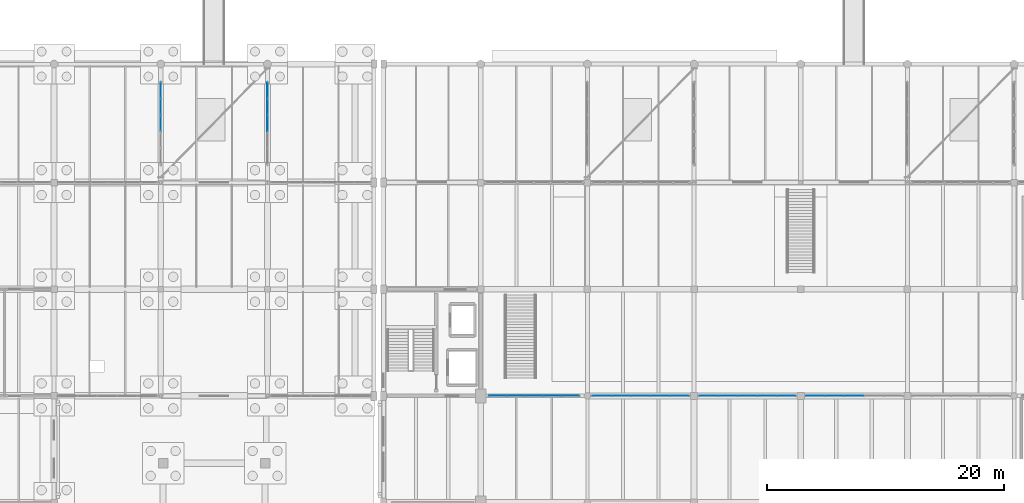
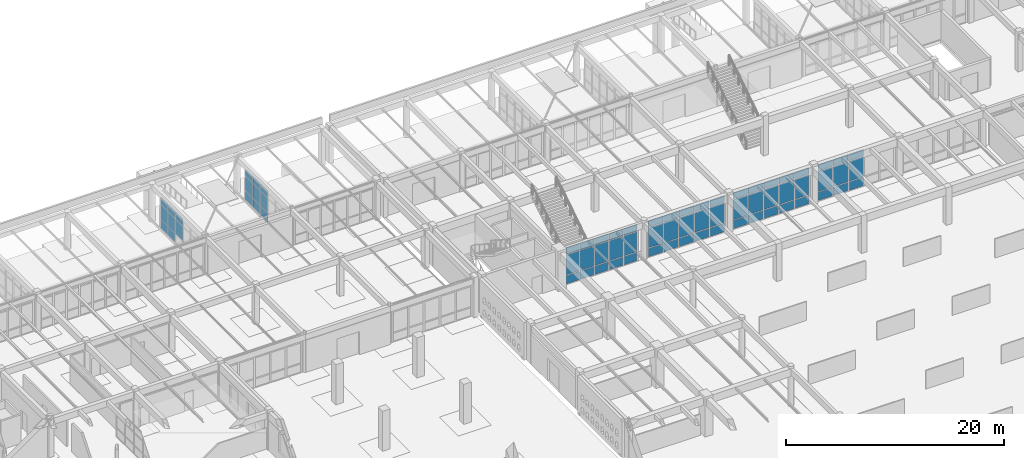
# One storey, part 147 of 186: 71 plates, 6 elements without a shape of their own.
"""IFC4 building model written with IfcOpenShell, lengths in metres."""

from ifc_helpers import new_model, si_unit, direction, frame, origin, origin_2d, place, context, subcontext, project, spatial, rectangle, extrude, material, layer, layer_set, type_object, element, aggregate, save


model = new_model("IFC4")

# Units and contexts
model_context = context("Model", 3, precision=1e-05, world=origin(), true_north=direction((0.0, 1.0)))
body_context = subcontext(model_context, "Body", "Model", "MODEL_VIEW")
ifc_project = project(units=[si_unit("LENGTHUNIT", "METRE"), si_unit("AREAUNIT", "SQUARE_METRE"), si_unit("VOLUMEUNIT", "CUBIC_METRE"), si_unit("PLANEANGLEUNIT", "RADIAN"), si_unit("MASSUNIT", "GRAM", prefix="KILO")], contexts=[model_context])

# Site, building, storey
site_placement = place(None, origin())
site = spatial("IfcSite", under=ifc_project, at=site_placement, CompositionType="ELEMENT")
building_placement = place(site_placement, origin())
building = spatial("IfcBuilding", under=site, at=building_placement, Name="Ornek Quay Market", CompositionType="ELEMENT")
storey_placement = place(building_placement, origin())
storey = spatial("IfcBuildingStorey", under=building, at=storey_placement, Name="L00", CompositionType="ELEMENT", Elevation=0.0)

# Curtain wall, plates
ifc_material_1 = material(Name="Anodised bronze aluminium and triple low-e glass", Category="aluminium")
ifc_layer_1 = layer(ifc_material_1, 0.139892578125, Name="Anodised bronze aluminium and triple low-e glass", Category="aluminium")
ifc_layer_set_1 = layer_set([ifc_layer_1], Name="Anodised bronze aluminium and triple low-e glass")
curtain_wall_type_1 = type_object("IfcCurtainWallType", Name="CW-GALLERY-INT", PredefinedType="USERDEFINED", material=ifc_layer_set_1)
curtain_wall_1_placement = place(storey_placement, origin())
curtain_wall_1 = element("IfcCurtainWall", 1, at=curtain_wall_1_placement, inside=storey, type_object=curtain_wall_type_1, Name="Curtain wall CW-121", ObjectType="CURTAIN WALL", PredefinedType="USERDEFINED")
ifc_material_2 = material(Name="Toughened laminated acoustic glass", Category="glass")
ifc_layer_2 = layer(ifc_material_2, 0.01611328125, Name="Toughened laminated acoustic glass", Category="glass")
ifc_layer_set_2 = layer_set([ifc_layer_2], Name="Toughened laminated acoustic glass")
plate_type_1 = type_object("IfcPlateType", Name="PL-CW-INT-16", PredefinedType="CURTAIN_PANEL", material=ifc_layer_set_2)
plate_1_placement = place(storey_placement, frame((64.436279296875, 92.0, 0.06494140625), z_axis=(0.0, 0.0, 1.0), x_axis=(1.0, 0.0, 0.0)))
plate_1 = element("IfcPlate", 2, at=plate_1_placement, type_object=plate_type_1, Name="CW-121 panel 1.1", PredefinedType="CURTAIN_PANEL", context=body_context, shape_type="SweptSolid", body=[
    extrude(rectangle(XDim=1.4423828125, YDim=0.01611328125, at=origin_2d()), origin(), (0.0, 0.0, 1.0), 0.952392578125),
])
plate_2_placement = place(storey_placement, frame((64.436279296875, 92.0, 1.08251953125), z_axis=(0.0, 0.0, 1.0), x_axis=(1.0, 0.0, 0.0)))
plate_2 = element("IfcPlate", 3, at=plate_2_placement, type_object=plate_type_1, Name="CW-121 panel 1.2", PredefinedType="CURTAIN_PANEL", context=body_context, shape_type="SweptSolid", body=[
    extrude(rectangle(XDim=1.4423828125, YDim=0.01611328125, at=origin_2d()), origin(), (0.0, 0.0, 1.0), 2.235107421875),
])
plate_3_placement = place(storey_placement, frame((64.436279296875, 92.0, 3.382568359375), z_axis=(0.0, 0.0, 1.0), x_axis=(1.0, 0.0, 0.0)))
plate_3 = element("IfcPlate", 4, at=plate_3_placement, type_object=plate_type_1, Name="CW-121 panel 1.3", PredefinedType="CURTAIN_PANEL", context=body_context, shape_type="SweptSolid", body=[
    extrude(rectangle(XDim=1.4423828125, YDim=0.01611328125, at=origin_2d()), origin(), (0.0, 0.0, 1.0), 0.75244140625),
])
plate_4_placement = place(storey_placement, frame((65.9599609375, 92.0, 0.06494140625), z_axis=(0.0, 0.0, 1.0), x_axis=(1.0, 0.0, 0.0)))
plate_4 = element("IfcPlate", 5, at=plate_4_placement, type_object=plate_type_1, Name="CW-121 panel 2.1", PredefinedType="CURTAIN_PANEL", context=body_context, shape_type="SweptSolid", body=[
    extrude(rectangle(XDim=1.47509765625, YDim=0.01611328125, at=origin_2d()), origin(), (0.0, 0.0, 1.0), 0.952392578125),
])
plate_5_placement = place(storey_placement, frame((65.9599609375, 92.0, 1.08251953125), z_axis=(0.0, 0.0, 1.0), x_axis=(1.0, 0.0, 0.0)))
plate_5 = element("IfcPlate", 6, at=plate_5_placement, type_object=plate_type_1, Name="CW-121 panel 2.2", PredefinedType="CURTAIN_PANEL", context=body_context, shape_type="SweptSolid", body=[
    extrude(rectangle(XDim=1.47509765625, YDim=0.01611328125, at=origin_2d()), origin(), (0.0, 0.0, 1.0), 2.235107421875),
])
plate_6_placement = place(storey_placement, frame((65.9599609375, 92.0, 3.382568359375), z_axis=(0.0, 0.0, 1.0), x_axis=(1.0, 0.0, 0.0)))
plate_6 = element("IfcPlate", 7, at=plate_6_placement, type_object=plate_type_1, Name="CW-121 panel 2.3", PredefinedType="CURTAIN_PANEL", context=body_context, shape_type="SweptSolid", body=[
    extrude(rectangle(XDim=1.47509765625, YDim=0.01611328125, at=origin_2d()), origin(), (0.0, 0.0, 1.0), 0.75244140625),
])
plate_7_placement = place(storey_placement, frame((67.5, 92.0, 0.06494140625), z_axis=(0.0, 0.0, 1.0), x_axis=(1.0, 0.0, 0.0)))
plate_7 = element("IfcPlate", 8, at=plate_7_placement, type_object=plate_type_1, Name="CW-121 panel 3.1", PredefinedType="CURTAIN_PANEL", context=body_context, shape_type="SweptSolid", body=[
    extrude(rectangle(XDim=1.47509765625, YDim=0.01611328125, at=origin_2d()), origin(), (0.0, 0.0, 1.0), 0.952392578125),
])
plate_8_placement = place(storey_placement, frame((67.5, 92.0, 1.08251953125), z_axis=(0.0, 0.0, 1.0), x_axis=(1.0, 0.0, 0.0)))
plate_8 = element("IfcPlate", 9, at=plate_8_placement, type_object=plate_type_1, Name="CW-121 panel 3.2", PredefinedType="CURTAIN_PANEL", context=body_context, shape_type="SweptSolid", body=[
    extrude(rectangle(XDim=1.47509765625, YDim=0.01611328125, at=origin_2d()), origin(), (0.0, 0.0, 1.0), 2.235107421875),
])
plate_9_placement = place(storey_placement, frame((67.5, 92.0, 3.382568359375), z_axis=(0.0, 0.0, 1.0), x_axis=(1.0, 0.0, 0.0)))
plate_9 = element("IfcPlate", 10, at=plate_9_placement, type_object=plate_type_1, Name="CW-121 panel 3.3", PredefinedType="CURTAIN_PANEL", context=body_context, shape_type="SweptSolid", body=[
    extrude(rectangle(XDim=1.47509765625, YDim=0.01611328125, at=origin_2d()), origin(), (0.0, 0.0, 1.0), 0.75244140625),
])
plate_10_placement = place(storey_placement, frame((69.0400390625, 92.0, 0.06494140625), z_axis=(0.0, 0.0, 1.0), x_axis=(1.0, 0.0, 0.0)))
plate_10 = element("IfcPlate", 11, at=plate_10_placement, type_object=plate_type_1, Name="CW-121 panel 4.1", PredefinedType="CURTAIN_PANEL", context=body_context, shape_type="SweptSolid", body=[
    extrude(rectangle(XDim=1.47509765625, YDim=0.01611328125, at=origin_2d()), origin(), (0.0, 0.0, 1.0), 0.952392578125),
])
plate_11_placement = place(storey_placement, frame((69.0400390625, 92.0, 1.08251953125), z_axis=(0.0, 0.0, 1.0), x_axis=(1.0, 0.0, 0.0)))
plate_11 = element("IfcPlate", 12, at=plate_11_placement, type_object=plate_type_1, Name="CW-121 panel 4.2", PredefinedType="CURTAIN_PANEL", context=body_context, shape_type="SweptSolid", body=[
    extrude(rectangle(XDim=1.47509765625, YDim=0.01611328125, at=origin_2d()), origin(), (0.0, 0.0, 1.0), 2.235107421875),
])
plate_12_placement = place(storey_placement, frame((69.0400390625, 92.0, 3.382568359375), z_axis=(0.0, 0.0, 1.0), x_axis=(1.0, 0.0, 0.0)))
plate_12 = element("IfcPlate", 13, at=plate_12_placement, type_object=plate_type_1, Name="CW-121 panel 4.3", PredefinedType="CURTAIN_PANEL", context=body_context, shape_type="SweptSolid", body=[
    extrude(rectangle(XDim=1.47509765625, YDim=0.01611328125, at=origin_2d()), origin(), (0.0, 0.0, 1.0), 0.75244140625),
])
plate_13_placement = place(storey_placement, frame((70.563720703125, 92.0, 0.06494140625), z_axis=(0.0, 0.0, 1.0), x_axis=(1.0, 0.0, 0.0)))
plate_13 = element("IfcPlate", 14, at=plate_13_placement, type_object=plate_type_1, Name="CW-121 panel 5.1", PredefinedType="CURTAIN_PANEL", context=body_context, shape_type="SweptSolid", body=[
    extrude(rectangle(XDim=1.4423828125, YDim=0.01611328125, at=origin_2d()), origin(), (0.0, 0.0, 1.0), 0.952392578125),
])
plate_14_placement = place(storey_placement, frame((70.563720703125, 92.0, 1.08251953125), z_axis=(0.0, 0.0, 1.0), x_axis=(1.0, 0.0, 0.0)))
plate_14 = element("IfcPlate", 15, at=plate_14_placement, type_object=plate_type_1, Name="CW-121 panel 5.2", PredefinedType="CURTAIN_PANEL", context=body_context, shape_type="SweptSolid", body=[
    extrude(rectangle(XDim=1.4423828125, YDim=0.01611328125, at=origin_2d()), origin(), (0.0, 0.0, 1.0), 2.235107421875),
])
plate_15_placement = place(storey_placement, frame((70.563720703125, 92.0, 3.382568359375), z_axis=(0.0, 0.0, 1.0), x_axis=(1.0, 0.0, 0.0)))
plate_15 = element("IfcPlate", 16, at=plate_15_placement, type_object=plate_type_1, Name="CW-121 panel 5.3", PredefinedType="CURTAIN_PANEL", context=body_context, shape_type="SweptSolid", body=[
    extrude(rectangle(XDim=1.4423828125, YDim=0.01611328125, at=origin_2d()), origin(), (0.0, 0.0, 1.0), 0.75244140625),
])
aggregate(curtain_wall_1, [plate_1, plate_2, plate_3, plate_4, plate_5, plate_6, plate_7, plate_8, plate_9, plate_10, plate_11, plate_12, plate_13, plate_14, plate_15])

curtain_wall_2_placement = place(storey_placement, origin())
curtain_wall_2 = element("IfcCurtainWall", 17, at=curtain_wall_2_placement, inside=storey, type_object=curtain_wall_type_1, Name="Curtain wall CW-122", ObjectType="CURTAIN WALL", PredefinedType="USERDEFINED")
plate_16_placement = place(storey_placement, frame((73.236328125, 92.0, 0.06494140625), z_axis=(0.0, 0.0, 1.0), x_axis=(1.0, 0.0, 0.0)))
plate_16 = element("IfcPlate", 18, at=plate_16_placement, type_object=plate_type_1, Name="CW-122 panel 1.1", PredefinedType="CURTAIN_PANEL", context=body_context, shape_type="SweptSolid", body=[
    extrude(rectangle(XDim=1.54248046875, YDim=0.01611328125, at=origin_2d()), origin(), (0.0, 0.0, 1.0), 0.952392578125),
])
plate_17_placement = place(storey_placement, frame((73.236328125, 92.0, 1.08251953125), z_axis=(0.0, 0.0, 1.0), x_axis=(1.0, 0.0, 0.0)))
plate_17 = element("IfcPlate", 19, at=plate_17_placement, type_object=plate_type_1, Name="CW-122 panel 1.2", PredefinedType="CURTAIN_PANEL", context=body_context, shape_type="SweptSolid", body=[
    extrude(rectangle(XDim=1.54248046875, YDim=0.01611328125, at=origin_2d()), origin(), (0.0, 0.0, 1.0), 2.235107421875),
])
plate_18_placement = place(storey_placement, frame((73.236328125, 92.0, 3.382568359375), z_axis=(0.0, 0.0, 1.0), x_axis=(1.0, 0.0, 0.0)))
plate_18 = element("IfcPlate", 20, at=plate_18_placement, type_object=plate_type_1, Name="CW-122 panel 1.3", PredefinedType="CURTAIN_PANEL", context=body_context, shape_type="SweptSolid", body=[
    extrude(rectangle(XDim=1.54248046875, YDim=0.01611328125, at=origin_2d()), origin(), (0.0, 0.0, 1.0), 0.75244140625),
])
plate_19_placement = place(storey_placement, frame((74.860107421875, 92.0, 0.06494140625), z_axis=(0.0, 0.0, 1.0), x_axis=(1.0, 0.0, 0.0)))
plate_19 = element("IfcPlate", 21, at=plate_19_placement, type_object=plate_type_1, Name="CW-122 panel 2.1", PredefinedType="CURTAIN_PANEL", context=body_context, shape_type="SweptSolid", body=[
    extrude(rectangle(XDim=1.574951171875, YDim=0.01611328125, at=origin_2d()), origin(), (0.0, 0.0, 1.0), 0.952392578125),
])
plate_20_placement = place(storey_placement, frame((74.860107421875, 92.0, 1.08251953125), z_axis=(0.0, 0.0, 1.0), x_axis=(1.0, 0.0, 0.0)))
plate_20 = element("IfcPlate", 22, at=plate_20_placement, type_object=plate_type_1, Name="CW-122 panel 2.2", PredefinedType="CURTAIN_PANEL", context=body_context, shape_type="SweptSolid", body=[
    extrude(rectangle(XDim=1.574951171875, YDim=0.01611328125, at=origin_2d()), origin(), (0.0, 0.0, 1.0), 2.235107421875),
])
plate_21_placement = place(storey_placement, frame((74.860107421875, 92.0, 3.382568359375), z_axis=(0.0, 0.0, 1.0), x_axis=(1.0, 0.0, 0.0)))
plate_21 = element("IfcPlate", 23, at=plate_21_placement, type_object=plate_type_1, Name="CW-122 panel 2.3", PredefinedType="CURTAIN_PANEL", context=body_context, shape_type="SweptSolid", body=[
    extrude(rectangle(XDim=1.574951171875, YDim=0.01611328125, at=origin_2d()), origin(), (0.0, 0.0, 1.0), 0.75244140625),
])
plate_22_placement = place(storey_placement, frame((76.5, 92.0, 0.06494140625), z_axis=(0.0, 0.0, 1.0), x_axis=(1.0, 0.0, 0.0)))
plate_22 = element("IfcPlate", 24, at=plate_22_placement, type_object=plate_type_1, Name="CW-122 panel 3.1", PredefinedType="CURTAIN_PANEL", context=body_context, shape_type="SweptSolid", body=[
    extrude(rectangle(XDim=1.574951171875, YDim=0.01611328125, at=origin_2d()), origin(), (0.0, 0.0, 1.0), 0.952392578125),
])
plate_23_placement = place(storey_placement, frame((76.5, 92.0, 1.08251953125), z_axis=(0.0, 0.0, 1.0), x_axis=(1.0, 0.0, 0.0)))
plate_23 = element("IfcPlate", 25, at=plate_23_placement, type_object=plate_type_1, Name="CW-122 panel 3.2", PredefinedType="CURTAIN_PANEL", context=body_context, shape_type="SweptSolid", body=[
    extrude(rectangle(XDim=1.574951171875, YDim=0.01611328125, at=origin_2d()), origin(), (0.0, 0.0, 1.0), 2.235107421875),
])
plate_24_placement = place(storey_placement, frame((76.5, 92.0, 3.382568359375), z_axis=(0.0, 0.0, 1.0), x_axis=(1.0, 0.0, 0.0)))
plate_24 = element("IfcPlate", 26, at=plate_24_placement, type_object=plate_type_1, Name="CW-122 panel 3.3", PredefinedType="CURTAIN_PANEL", context=body_context, shape_type="SweptSolid", body=[
    extrude(rectangle(XDim=1.574951171875, YDim=0.01611328125, at=origin_2d()), origin(), (0.0, 0.0, 1.0), 0.75244140625),
])
plate_25_placement = place(storey_placement, frame((78.139892578125, 92.0, 0.06494140625), z_axis=(0.0, 0.0, 1.0), x_axis=(1.0, 0.0, 0.0)))
plate_25 = element("IfcPlate", 27, at=plate_25_placement, type_object=plate_type_1, Name="CW-122 panel 4.1", PredefinedType="CURTAIN_PANEL", context=body_context, shape_type="SweptSolid", body=[
    extrude(rectangle(XDim=1.574951171875, YDim=0.01611328125, at=origin_2d()), origin(), (0.0, 0.0, 1.0), 0.952392578125),
])
plate_26_placement = place(storey_placement, frame((78.139892578125, 92.0, 1.08251953125), z_axis=(0.0, 0.0, 1.0), x_axis=(1.0, 0.0, 0.0)))
plate_26 = element("IfcPlate", 28, at=plate_26_placement, type_object=plate_type_1, Name="CW-122 panel 4.2", PredefinedType="CURTAIN_PANEL", context=body_context, shape_type="SweptSolid", body=[
    extrude(rectangle(XDim=1.574951171875, YDim=0.01611328125, at=origin_2d()), origin(), (0.0, 0.0, 1.0), 2.235107421875),
])
plate_27_placement = place(storey_placement, frame((78.139892578125, 92.0, 3.382568359375), z_axis=(0.0, 0.0, 1.0), x_axis=(1.0, 0.0, 0.0)))
plate_27 = element("IfcPlate", 29, at=plate_27_placement, type_object=plate_type_1, Name="CW-122 panel 4.3", PredefinedType="CURTAIN_PANEL", context=body_context, shape_type="SweptSolid", body=[
    extrude(rectangle(XDim=1.574951171875, YDim=0.01611328125, at=origin_2d()), origin(), (0.0, 0.0, 1.0), 0.75244140625),
])
plate_28_placement = place(storey_placement, frame((79.763671875, 92.0, 0.06494140625), z_axis=(0.0, 0.0, 1.0), x_axis=(1.0, 0.0, 0.0)))
plate_28 = element("IfcPlate", 30, at=plate_28_placement, type_object=plate_type_1, Name="CW-122 panel 5.1", PredefinedType="CURTAIN_PANEL", context=body_context, shape_type="SweptSolid", body=[
    extrude(rectangle(XDim=1.54248046875, YDim=0.01611328125, at=origin_2d()), origin(), (0.0, 0.0, 1.0), 0.952392578125),
])
plate_29_placement = place(storey_placement, frame((79.763671875, 92.0, 1.08251953125), z_axis=(0.0, 0.0, 1.0), x_axis=(1.0, 0.0, 0.0)))
plate_29 = element("IfcPlate", 31, at=plate_29_placement, type_object=plate_type_1, Name="CW-122 panel 5.2", PredefinedType="CURTAIN_PANEL", context=body_context, shape_type="SweptSolid", body=[
    extrude(rectangle(XDim=1.54248046875, YDim=0.01611328125, at=origin_2d()), origin(), (0.0, 0.0, 1.0), 2.235107421875),
])
plate_30_placement = place(storey_placement, frame((79.763671875, 92.0, 3.382568359375), z_axis=(0.0, 0.0, 1.0), x_axis=(1.0, 0.0, 0.0)))
plate_30 = element("IfcPlate", 32, at=plate_30_placement, type_object=plate_type_1, Name="CW-122 panel 5.3", PredefinedType="CURTAIN_PANEL", context=body_context, shape_type="SweptSolid", body=[
    extrude(rectangle(XDim=1.54248046875, YDim=0.01611328125, at=origin_2d()), origin(), (0.0, 0.0, 1.0), 0.75244140625),
])
aggregate(curtain_wall_2, [plate_16, plate_17, plate_18, plate_19, plate_20, plate_21, plate_22, plate_23, plate_24, plate_25, plate_26, plate_27, plate_28, plate_29, plate_30])

curtain_wall_3_placement = place(storey_placement, origin())
curtain_wall_3 = element("IfcCurtainWall", 33, at=curtain_wall_3_placement, inside=storey, type_object=curtain_wall_type_1, Name="Curtain wall CW-123", ObjectType="CURTAIN WALL", PredefinedType="USERDEFINED")
plate_31_placement = place(storey_placement, frame((82.236328125, 92.0, 0.06494140625), z_axis=(0.0, 0.0, 1.0), x_axis=(1.0, 0.0, 0.0)))
plate_31 = element("IfcPlate", 34, at=plate_31_placement, type_object=plate_type_1, Name="CW-123 panel 1.1", PredefinedType="CURTAIN_PANEL", context=body_context, shape_type="SweptSolid", body=[
    extrude(rectangle(XDim=1.54248046875, YDim=0.01611328125, at=origin_2d()), origin(), (0.0, 0.0, 1.0), 0.952392578125),
])
plate_32_placement = place(storey_placement, frame((82.236328125, 92.0, 1.08251953125), z_axis=(0.0, 0.0, 1.0), x_axis=(1.0, 0.0, 0.0)))
plate_32 = element("IfcPlate", 35, at=plate_32_placement, type_object=plate_type_1, Name="CW-123 panel 1.2", PredefinedType="CURTAIN_PANEL", context=body_context, shape_type="SweptSolid", body=[
    extrude(rectangle(XDim=1.54248046875, YDim=0.01611328125, at=origin_2d()), origin(), (0.0, 0.0, 1.0), 2.235107421875),
])
plate_33_placement = place(storey_placement, frame((82.236328125, 92.0, 3.382568359375), z_axis=(0.0, 0.0, 1.0), x_axis=(1.0, 0.0, 0.0)))
plate_33 = element("IfcPlate", 36, at=plate_33_placement, type_object=plate_type_1, Name="CW-123 panel 1.3", PredefinedType="CURTAIN_PANEL", context=body_context, shape_type="SweptSolid", body=[
    extrude(rectangle(XDim=1.54248046875, YDim=0.01611328125, at=origin_2d()), origin(), (0.0, 0.0, 1.0), 0.75244140625),
])
plate_34_placement = place(storey_placement, frame((83.860107421875, 92.0, 0.06494140625), z_axis=(0.0, 0.0, 1.0), x_axis=(1.0, 0.0, 0.0)))
plate_34 = element("IfcPlate", 37, at=plate_34_placement, type_object=plate_type_1, Name="CW-123 panel 2.1", PredefinedType="CURTAIN_PANEL", context=body_context, shape_type="SweptSolid", body=[
    extrude(rectangle(XDim=1.574951171875, YDim=0.01611328125, at=origin_2d()), origin(), (0.0, 0.0, 1.0), 0.952392578125),
])
plate_35_placement = place(storey_placement, frame((83.860107421875, 92.0, 1.08251953125), z_axis=(0.0, 0.0, 1.0), x_axis=(1.0, 0.0, 0.0)))
plate_35 = element("IfcPlate", 38, at=plate_35_placement, type_object=plate_type_1, Name="CW-123 panel 2.2", PredefinedType="CURTAIN_PANEL", context=body_context, shape_type="SweptSolid", body=[
    extrude(rectangle(XDim=1.574951171875, YDim=0.01611328125, at=origin_2d()), origin(), (0.0, 0.0, 1.0), 2.235107421875),
])
plate_36_placement = place(storey_placement, frame((83.860107421875, 92.0, 3.382568359375), z_axis=(0.0, 0.0, 1.0), x_axis=(1.0, 0.0, 0.0)))
plate_36 = element("IfcPlate", 39, at=plate_36_placement, type_object=plate_type_1, Name="CW-123 panel 2.3", PredefinedType="CURTAIN_PANEL", context=body_context, shape_type="SweptSolid", body=[
    extrude(rectangle(XDim=1.574951171875, YDim=0.01611328125, at=origin_2d()), origin(), (0.0, 0.0, 1.0), 0.75244140625),
])
plate_37_placement = place(storey_placement, frame((85.5, 92.0, 0.06494140625), z_axis=(0.0, 0.0, 1.0), x_axis=(1.0, 0.0, 0.0)))
plate_37 = element("IfcPlate", 40, at=plate_37_placement, type_object=plate_type_1, Name="CW-123 panel 3.1", PredefinedType="CURTAIN_PANEL", context=body_context, shape_type="SweptSolid", body=[
    extrude(rectangle(XDim=1.574951171875, YDim=0.01611328125, at=origin_2d()), origin(), (0.0, 0.0, 1.0), 0.952392578125),
])
plate_38_placement = place(storey_placement, frame((85.5, 92.0, 1.08251953125), z_axis=(0.0, 0.0, 1.0), x_axis=(1.0, 0.0, 0.0)))
plate_38 = element("IfcPlate", 41, at=plate_38_placement, type_object=plate_type_1, Name="CW-123 panel 3.2", PredefinedType="CURTAIN_PANEL", context=body_context, shape_type="SweptSolid", body=[
    extrude(rectangle(XDim=1.574951171875, YDim=0.01611328125, at=origin_2d()), origin(), (0.0, 0.0, 1.0), 2.235107421875),
])
plate_39_placement = place(storey_placement, frame((85.5, 92.0, 3.382568359375), z_axis=(0.0, 0.0, 1.0), x_axis=(1.0, 0.0, 0.0)))
plate_39 = element("IfcPlate", 42, at=plate_39_placement, type_object=plate_type_1, Name="CW-123 panel 3.3", PredefinedType="CURTAIN_PANEL", context=body_context, shape_type="SweptSolid", body=[
    extrude(rectangle(XDim=1.574951171875, YDim=0.01611328125, at=origin_2d()), origin(), (0.0, 0.0, 1.0), 0.75244140625),
])
plate_40_placement = place(storey_placement, frame((87.139892578125, 92.0, 0.06494140625), z_axis=(0.0, 0.0, 1.0), x_axis=(1.0, 0.0, 0.0)))
plate_40 = element("IfcPlate", 43, at=plate_40_placement, type_object=plate_type_1, Name="CW-123 panel 4.1", PredefinedType="CURTAIN_PANEL", context=body_context, shape_type="SweptSolid", body=[
    extrude(rectangle(XDim=1.574951171875, YDim=0.01611328125, at=origin_2d()), origin(), (0.0, 0.0, 1.0), 0.952392578125),
])
plate_41_placement = place(storey_placement, frame((87.139892578125, 92.0, 1.08251953125), z_axis=(0.0, 0.0, 1.0), x_axis=(1.0, 0.0, 0.0)))
plate_41 = element("IfcPlate", 44, at=plate_41_placement, type_object=plate_type_1, Name="CW-123 panel 4.2", PredefinedType="CURTAIN_PANEL", context=body_context, shape_type="SweptSolid", body=[
    extrude(rectangle(XDim=1.574951171875, YDim=0.01611328125, at=origin_2d()), origin(), (0.0, 0.0, 1.0), 2.235107421875),
])
plate_42_placement = place(storey_placement, frame((87.139892578125, 92.0, 3.382568359375), z_axis=(0.0, 0.0, 1.0), x_axis=(1.0, 0.0, 0.0)))
plate_42 = element("IfcPlate", 45, at=plate_42_placement, type_object=plate_type_1, Name="CW-123 panel 4.3", PredefinedType="CURTAIN_PANEL", context=body_context, shape_type="SweptSolid", body=[
    extrude(rectangle(XDim=1.574951171875, YDim=0.01611328125, at=origin_2d()), origin(), (0.0, 0.0, 1.0), 0.75244140625),
])
plate_43_placement = place(storey_placement, frame((88.763671875, 92.0, 0.06494140625), z_axis=(0.0, 0.0, 1.0), x_axis=(1.0, 0.0, 0.0)))
plate_43 = element("IfcPlate", 46, at=plate_43_placement, type_object=plate_type_1, Name="CW-123 panel 5.1", PredefinedType="CURTAIN_PANEL", context=body_context, shape_type="SweptSolid", body=[
    extrude(rectangle(XDim=1.54248046875, YDim=0.01611328125, at=origin_2d()), origin(), (0.0, 0.0, 1.0), 0.952392578125),
])
plate_44_placement = place(storey_placement, frame((88.763671875, 92.0, 1.08251953125), z_axis=(0.0, 0.0, 1.0), x_axis=(1.0, 0.0, 0.0)))
plate_44 = element("IfcPlate", 47, at=plate_44_placement, type_object=plate_type_1, Name="CW-123 panel 5.2", PredefinedType="CURTAIN_PANEL", context=body_context, shape_type="SweptSolid", body=[
    extrude(rectangle(XDim=1.54248046875, YDim=0.01611328125, at=origin_2d()), origin(), (0.0, 0.0, 1.0), 2.235107421875),
])
plate_45_placement = place(storey_placement, frame((88.763671875, 92.0, 3.382568359375), z_axis=(0.0, 0.0, 1.0), x_axis=(1.0, 0.0, 0.0)))
plate_45 = element("IfcPlate", 48, at=plate_45_placement, type_object=plate_type_1, Name="CW-123 panel 5.3", PredefinedType="CURTAIN_PANEL", context=body_context, shape_type="SweptSolid", body=[
    extrude(rectangle(XDim=1.54248046875, YDim=0.01611328125, at=origin_2d()), origin(), (0.0, 0.0, 1.0), 0.75244140625),
])
aggregate(curtain_wall_3, [plate_31, plate_32, plate_33, plate_34, plate_35, plate_36, plate_37, plate_38, plate_39, plate_40, plate_41, plate_42, plate_43, plate_44, plate_45])

curtain_wall_4_placement = place(storey_placement, origin())
curtain_wall_4 = element("IfcCurtainWall", 49, at=curtain_wall_4_placement, inside=storey, type_object=curtain_wall_type_1, Name="Curtain wall CW-124", ObjectType="CURTAIN WALL", PredefinedType="USERDEFINED")
plate_46_placement = place(storey_placement, frame((91.236328125, 92.0, 0.06494140625), z_axis=(0.0, 0.0, 1.0), x_axis=(1.0, 0.0, 0.0)))
plate_46 = element("IfcPlate", 50, at=plate_46_placement, type_object=plate_type_1, Name="CW-124 panel 1.1", PredefinedType="CURTAIN_PANEL", context=body_context, shape_type="SweptSolid", body=[
    extrude(rectangle(XDim=1.54248046875, YDim=0.01611328125, at=origin_2d()), origin(), (0.0, 0.0, 1.0), 0.952392578125),
])
plate_47_placement = place(storey_placement, frame((91.236328125, 92.0, 1.08251953125), z_axis=(0.0, 0.0, 1.0), x_axis=(1.0, 0.0, 0.0)))
plate_47 = element("IfcPlate", 51, at=plate_47_placement, type_object=plate_type_1, Name="CW-124 panel 1.2", PredefinedType="CURTAIN_PANEL", context=body_context, shape_type="SweptSolid", body=[
    extrude(rectangle(XDim=1.54248046875, YDim=0.01611328125, at=origin_2d()), origin(), (0.0, 0.0, 1.0), 2.235107421875),
])
plate_48_placement = place(storey_placement, frame((91.236328125, 92.0, 3.382568359375), z_axis=(0.0, 0.0, 1.0), x_axis=(1.0, 0.0, 0.0)))
plate_48 = element("IfcPlate", 52, at=plate_48_placement, type_object=plate_type_1, Name="CW-124 panel 1.3", PredefinedType="CURTAIN_PANEL", context=body_context, shape_type="SweptSolid", body=[
    extrude(rectangle(XDim=1.54248046875, YDim=0.01611328125, at=origin_2d()), origin(), (0.0, 0.0, 1.0), 0.75244140625),
])
plate_49_placement = place(storey_placement, frame((92.860107421875, 92.0, 0.06494140625), z_axis=(0.0, 0.0, 1.0), x_axis=(1.0, 0.0, 0.0)))
plate_49 = element("IfcPlate", 53, at=plate_49_placement, type_object=plate_type_1, Name="CW-124 panel 2.1", PredefinedType="CURTAIN_PANEL", context=body_context, shape_type="SweptSolid", body=[
    extrude(rectangle(XDim=1.574951171875, YDim=0.01611328125, at=origin_2d()), origin(), (0.0, 0.0, 1.0), 0.952392578125),
])
plate_50_placement = place(storey_placement, frame((92.860107421875, 92.0, 1.08251953125), z_axis=(0.0, 0.0, 1.0), x_axis=(1.0, 0.0, 0.0)))
plate_50 = element("IfcPlate", 54, at=plate_50_placement, type_object=plate_type_1, Name="CW-124 panel 2.2", PredefinedType="CURTAIN_PANEL", context=body_context, shape_type="SweptSolid", body=[
    extrude(rectangle(XDim=1.574951171875, YDim=0.01611328125, at=origin_2d()), origin(), (0.0, 0.0, 1.0), 2.235107421875),
])
plate_51_placement = place(storey_placement, frame((92.860107421875, 92.0, 3.382568359375), z_axis=(0.0, 0.0, 1.0), x_axis=(1.0, 0.0, 0.0)))
plate_51 = element("IfcPlate", 55, at=plate_51_placement, type_object=plate_type_1, Name="CW-124 panel 2.3", PredefinedType="CURTAIN_PANEL", context=body_context, shape_type="SweptSolid", body=[
    extrude(rectangle(XDim=1.574951171875, YDim=0.01611328125, at=origin_2d()), origin(), (0.0, 0.0, 1.0), 0.75244140625),
])
plate_52_placement = place(storey_placement, frame((94.5, 92.0, 0.06494140625), z_axis=(0.0, 0.0, 1.0), x_axis=(1.0, 0.0, 0.0)))
plate_52 = element("IfcPlate", 56, at=plate_52_placement, type_object=plate_type_1, Name="CW-124 panel 3.1", PredefinedType="CURTAIN_PANEL", context=body_context, shape_type="SweptSolid", body=[
    extrude(rectangle(XDim=1.574951171875, YDim=0.01611328125, at=origin_2d()), origin(), (0.0, 0.0, 1.0), 0.952392578125),
])
plate_53_placement = place(storey_placement, frame((94.5, 92.0, 1.08251953125), z_axis=(0.0, 0.0, 1.0), x_axis=(1.0, 0.0, 0.0)))
plate_53 = element("IfcPlate", 57, at=plate_53_placement, type_object=plate_type_1, Name="CW-124 panel 3.2", PredefinedType="CURTAIN_PANEL", context=body_context, shape_type="SweptSolid", body=[
    extrude(rectangle(XDim=1.574951171875, YDim=0.01611328125, at=origin_2d()), origin(), (0.0, 0.0, 1.0), 2.235107421875),
])
plate_54_placement = place(storey_placement, frame((94.5, 92.0, 3.382568359375), z_axis=(0.0, 0.0, 1.0), x_axis=(1.0, 0.0, 0.0)))
plate_54 = element("IfcPlate", 58, at=plate_54_placement, type_object=plate_type_1, Name="CW-124 panel 3.3", PredefinedType="CURTAIN_PANEL", context=body_context, shape_type="SweptSolid", body=[
    extrude(rectangle(XDim=1.574951171875, YDim=0.01611328125, at=origin_2d()), origin(), (0.0, 0.0, 1.0), 0.75244140625),
])
aggregate(curtain_wall_4, [plate_46, plate_47, plate_48, plate_49, plate_50, plate_51, plate_52, plate_53, plate_54])

ifc_layer_3 = layer(ifc_material_1, 0.219970703125, Name="Anodised bronze aluminium and triple low-e glass", Category="aluminium")
ifc_layer_set_3 = layer_set([ifc_layer_3], Name="Anodised bronze aluminium and triple low-e glass")
curtain_wall_type_2 = type_object("IfcCurtainWallType", Name="CW-PORCH-MOD1500", PredefinedType="USERDEFINED", material=ifc_layer_set_3)
curtain_wall_5_placement = place(storey_placement, origin())
curtain_wall_5 = element("IfcCurtainWall", 59, at=curtain_wall_5_placement, inside=storey, type_object=curtain_wall_type_2, Name="Curtain wall CW-149", ObjectType="CURTAIN WALL", PredefinedType="USERDEFINED")
ifc_material_3 = material(Name="Triple insulated low-e glass", Category="glass")
ifc_layer_4 = layer(ifc_material_3, 0.035888671875, Name="Triple insulated low-e glass", Category="glass")
ifc_layer_set_4 = layer_set([ifc_layer_4], Name="Triple insulated low-e glass")
plate_type_2 = type_object("IfcPlateType", Name="PL-CW-TRIPLE-36", PredefinedType="CURTAIN_PANEL", material=ifc_layer_set_4)
plate_55_placement = place(storey_placement, frame((36.0, 115.0, 1.0849609375), z_axis=(0.0, 0.0, 1.0), x_axis=(0.0, 1.0, 0.0)))
plate_55 = element("IfcPlate", 60, at=plate_55_placement, type_object=plate_type_2, Name="CW-149 panel 3.2", PredefinedType="CURTAIN_PANEL", context=body_context, shape_type="SweptSolid", body=[
    extrude(rectangle(XDim=1.330078125, YDim=0.035888671875, at=origin_2d()), origin(), (0.0, 0.0, 1.0), 1.6298828125),
])
plate_56_placement = place(storey_placement, frame((36.0, 115.0, 2.784912109375), z_axis=(0.0, 0.0, 1.0), x_axis=(0.0, 1.0, 0.0)))
plate_56 = element("IfcPlate", 61, at=plate_56_placement, type_object=plate_type_2, Name="CW-149 panel 3.3", PredefinedType="CURTAIN_PANEL", context=body_context, shape_type="SweptSolid", body=[
    extrude(rectangle(XDim=1.330078125, YDim=0.035888671875, at=origin_2d()), origin(), (0.0, 0.0, 1.0), 0.7451171875),
])
plate_57_placement = place(storey_placement, frame((36.0, 116.39990234375, 0.06982421875), z_axis=(0.0, 0.0, 1.0), x_axis=(0.0, 1.0, 0.0)))
plate_57 = element("IfcPlate", 62, at=plate_57_placement, type_object=plate_type_2, Name="CW-149 panel 4.1", PredefinedType="CURTAIN_PANEL", context=body_context, shape_type="SweptSolid", body=[
    extrude(rectangle(XDim=1.330078125, YDim=0.035888671875, at=origin_2d()), origin(), (0.0, 0.0, 1.0), 0.945068359375),
])
plate_58_placement = place(storey_placement, frame((36.0, 116.39990234375, 1.0849609375), z_axis=(0.0, 0.0, 1.0), x_axis=(0.0, 1.0, 0.0)))
plate_58 = element("IfcPlate", 63, at=plate_58_placement, type_object=plate_type_2, Name="CW-149 panel 4.2", PredefinedType="CURTAIN_PANEL", context=body_context, shape_type="SweptSolid", body=[
    extrude(rectangle(XDim=1.330078125, YDim=0.035888671875, at=origin_2d()), origin(), (0.0, 0.0, 1.0), 1.6298828125),
])
plate_59_placement = place(storey_placement, frame((36.0, 116.39990234375, 2.784912109375), z_axis=(0.0, 0.0, 1.0), x_axis=(0.0, 1.0, 0.0)))
plate_59 = element("IfcPlate", 64, at=plate_59_placement, type_object=plate_type_2, Name="CW-149 panel 4.3", PredefinedType="CURTAIN_PANEL", context=body_context, shape_type="SweptSolid", body=[
    extrude(rectangle(XDim=1.330078125, YDim=0.035888671875, at=origin_2d()), origin(), (0.0, 0.0, 1.0), 0.7451171875),
])
plate_60_placement = place(storey_placement, frame((36.0, 117.782470703125, 0.06982421875), z_axis=(0.0, 0.0, 1.0), x_axis=(0.0, 1.0, 0.0)))
plate_60 = element("IfcPlate", 65, at=plate_60_placement, type_object=plate_type_2, Name="CW-149 panel 5.1", PredefinedType="CURTAIN_PANEL", context=body_context, shape_type="SweptSolid", body=[
    extrude(rectangle(XDim=1.294921875, YDim=0.035888671875, at=origin_2d()), origin(), (0.0, 0.0, 1.0), 0.945068359375),
])
plate_61_placement = place(storey_placement, frame((36.0, 117.782470703125, 1.0849609375), z_axis=(0.0, 0.0, 1.0), x_axis=(0.0, 1.0, 0.0)))
plate_61 = element("IfcPlate", 66, at=plate_61_placement, type_object=plate_type_2, Name="CW-149 panel 5.2", PredefinedType="CURTAIN_PANEL", context=body_context, shape_type="SweptSolid", body=[
    extrude(rectangle(XDim=1.294921875, YDim=0.035888671875, at=origin_2d()), origin(), (0.0, 0.0, 1.0), 1.6298828125),
])
plate_62_placement = place(storey_placement, frame((36.0, 117.782470703125, 2.784912109375), z_axis=(0.0, 0.0, 1.0), x_axis=(0.0, 1.0, 0.0)))
plate_62 = element("IfcPlate", 67, at=plate_62_placement, type_object=plate_type_2, Name="CW-149 panel 5.3", PredefinedType="CURTAIN_PANEL", context=body_context, shape_type="SweptSolid", body=[
    extrude(rectangle(XDim=1.294921875, YDim=0.035888671875, at=origin_2d()), origin(), (0.0, 0.0, 1.0), 0.7451171875),
])
aggregate(curtain_wall_5, [plate_55, plate_56, plate_57, plate_58, plate_59, plate_60, plate_61, plate_62])

curtain_wall_6_placement = place(storey_placement, origin())
curtain_wall_6 = element("IfcCurtainWall", 68, at=curtain_wall_6_placement, inside=storey, type_object=curtain_wall_type_2, Name="Curtain wall CW-150", ObjectType="CURTAIN WALL", PredefinedType="USERDEFINED")
plate_63_placement = place(storey_placement, frame((45.0, 115.0, 0.06982421875), z_axis=(0.0, 0.0, 1.0), x_axis=(0.0, 1.0, 0.0)))
plate_63 = element("IfcPlate", 69, at=plate_63_placement, type_object=plate_type_2, Name="CW-150 panel 3.1", PredefinedType="CURTAIN_PANEL", context=body_context, shape_type="SweptSolid", body=[
    extrude(rectangle(XDim=1.330078125, YDim=0.035888671875, at=origin_2d()), origin(), (0.0, 0.0, 1.0), 0.945068359375),
])
plate_64_placement = place(storey_placement, frame((45.0, 115.0, 1.0849609375), z_axis=(0.0, 0.0, 1.0), x_axis=(0.0, 1.0, 0.0)))
plate_64 = element("IfcPlate", 70, at=plate_64_placement, type_object=plate_type_2, Name="CW-150 panel 3.2", PredefinedType="CURTAIN_PANEL", context=body_context, shape_type="SweptSolid", body=[
    extrude(rectangle(XDim=1.330078125, YDim=0.035888671875, at=origin_2d()), origin(), (0.0, 0.0, 1.0), 1.6298828125),
])
plate_65_placement = place(storey_placement, frame((45.0, 115.0, 2.784912109375), z_axis=(0.0, 0.0, 1.0), x_axis=(0.0, 1.0, 0.0)))
plate_65 = element("IfcPlate", 71, at=plate_65_placement, type_object=plate_type_2, Name="CW-150 panel 3.3", PredefinedType="CURTAIN_PANEL", context=body_context, shape_type="SweptSolid", body=[
    extrude(rectangle(XDim=1.330078125, YDim=0.035888671875, at=origin_2d()), origin(), (0.0, 0.0, 1.0), 0.7451171875),
])
plate_66_placement = place(storey_placement, frame((45.0, 116.39990234375, 0.06982421875), z_axis=(0.0, 0.0, 1.0), x_axis=(0.0, 1.0, 0.0)))
plate_66 = element("IfcPlate", 72, at=plate_66_placement, type_object=plate_type_2, Name="CW-150 panel 4.1", PredefinedType="CURTAIN_PANEL", context=body_context, shape_type="SweptSolid", body=[
    extrude(rectangle(XDim=1.330078125, YDim=0.035888671875, at=origin_2d()), origin(), (0.0, 0.0, 1.0), 0.945068359375),
])
plate_67_placement = place(storey_placement, frame((45.0, 116.39990234375, 1.0849609375), z_axis=(0.0, 0.0, 1.0), x_axis=(0.0, 1.0, 0.0)))
plate_67 = element("IfcPlate", 73, at=plate_67_placement, type_object=plate_type_2, Name="CW-150 panel 4.2", PredefinedType="CURTAIN_PANEL", context=body_context, shape_type="SweptSolid", body=[
    extrude(rectangle(XDim=1.330078125, YDim=0.035888671875, at=origin_2d()), origin(), (0.0, 0.0, 1.0), 1.6298828125),
])
plate_68_placement = place(storey_placement, frame((45.0, 116.39990234375, 2.784912109375), z_axis=(0.0, 0.0, 1.0), x_axis=(0.0, 1.0, 0.0)))
plate_68 = element("IfcPlate", 74, at=plate_68_placement, type_object=plate_type_2, Name="CW-150 panel 4.3", PredefinedType="CURTAIN_PANEL", context=body_context, shape_type="SweptSolid", body=[
    extrude(rectangle(XDim=1.330078125, YDim=0.035888671875, at=origin_2d()), origin(), (0.0, 0.0, 1.0), 0.7451171875),
])
plate_69_placement = place(storey_placement, frame((45.0, 117.782470703125, 0.06982421875), z_axis=(0.0, 0.0, 1.0), x_axis=(0.0, 1.0, 0.0)))
plate_69 = element("IfcPlate", 75, at=plate_69_placement, type_object=plate_type_2, Name="CW-150 panel 5.1", PredefinedType="CURTAIN_PANEL", context=body_context, shape_type="SweptSolid", body=[
    extrude(rectangle(XDim=1.294921875, YDim=0.035888671875, at=origin_2d()), origin(), (0.0, 0.0, 1.0), 0.945068359375),
])
plate_70_placement = place(storey_placement, frame((45.0, 117.782470703125, 1.0849609375), z_axis=(0.0, 0.0, 1.0), x_axis=(0.0, 1.0, 0.0)))
plate_70 = element("IfcPlate", 76, at=plate_70_placement, type_object=plate_type_2, Name="CW-150 panel 5.2", PredefinedType="CURTAIN_PANEL", context=body_context, shape_type="SweptSolid", body=[
    extrude(rectangle(XDim=1.294921875, YDim=0.035888671875, at=origin_2d()), origin(), (0.0, 0.0, 1.0), 1.6298828125),
])
plate_71_placement = place(storey_placement, frame((45.0, 117.782470703125, 2.784912109375), z_axis=(0.0, 0.0, 1.0), x_axis=(0.0, 1.0, 0.0)))
plate_71 = element("IfcPlate", 77, at=plate_71_placement, type_object=plate_type_2, Name="CW-150 panel 5.3", PredefinedType="CURTAIN_PANEL", context=body_context, shape_type="SweptSolid", body=[
    extrude(rectangle(XDim=1.294921875, YDim=0.035888671875, at=origin_2d()), origin(), (0.0, 0.0, 1.0), 0.7451171875),
])
aggregate(curtain_wall_6, [plate_63, plate_64, plate_65, plate_66, plate_67, plate_68, plate_69, plate_70, plate_71])

save(model, "model.ifc")
